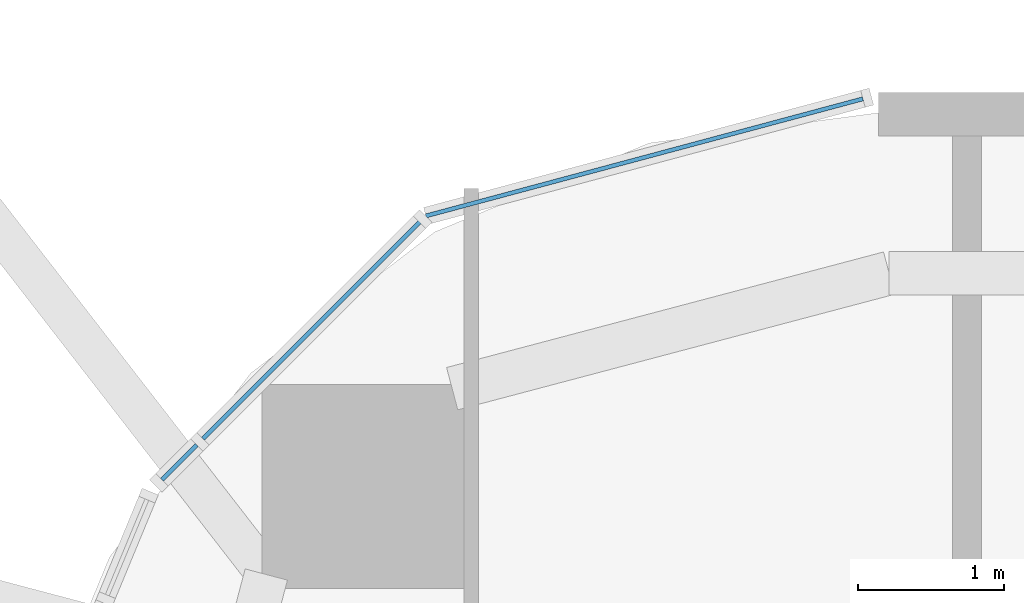
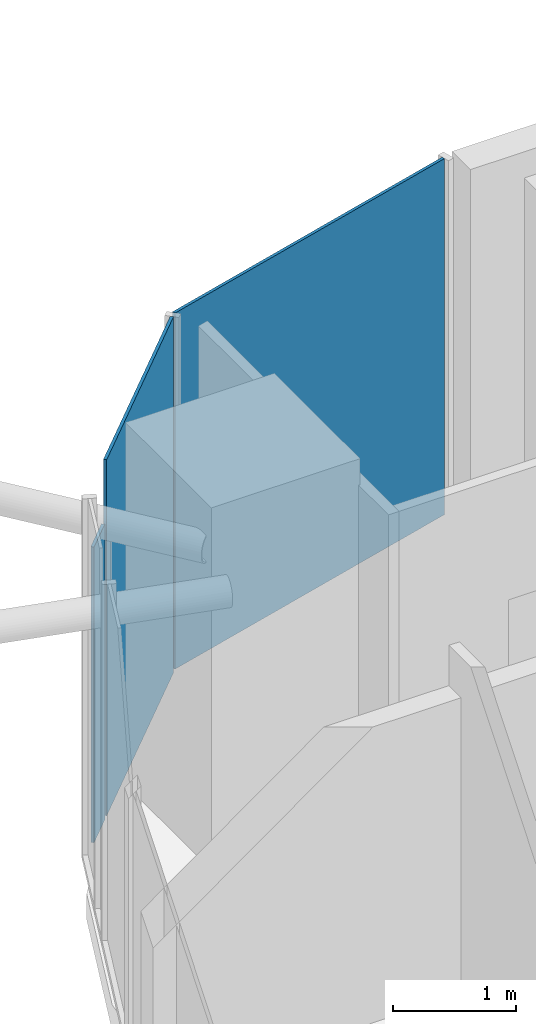
# One storey, part 20 of 31: 3 plates, 3 elements without a shape of their own.
"""IFC4 building model written with IfcOpenShell, lengths in metres."""

import ifcopenshell
import ifcopenshell.guid

model = None  # the IFC model being written
_history = None  # IfcOwnerHistory: only IFC2X3 demands one
_inside = {}  # id of a spatial element -> (the spatial element, [elements in it])
_under = {}  # id of a project, library or spatial element -> (it, [spatial elements below it])
_declared = {}  # id of a project -> (the project, [libraries it declares])
_typed = {}  # id of a type object -> (the type object, [elements of that type])
_made_of = {}  # id of a material, layer set ... -> (it, [elements and type objects made of it])


def new_model(schema):
    """Start an empty IFC model of exactly this schema.

    Asked for "IFC4X3", IfcOpenShell would pick the latest addendum, in which some entities
    have other attributes; the version numbers below select the first issue.
    IFC2X3 requires an IfcOwnerHistory on every rooted entity: one is made here for all.
    """
    global model, _history
    if schema == "IFC4X3":
        model = ifcopenshell.file(schema_version=(4, 3, 0, 0))
    else:
        model = ifcopenshell.file(schema=schema)
    _inside.clear()
    _under.clear()
    _declared.clear()
    _typed.clear()
    _made_of.clear()
    _history = None
    if model.schema == "IFC2X3":
        org = make("IfcOrganization", Name="unknown")
        user = make(
            "IfcPersonAndOrganization",
            ThePerson=make("IfcPerson", FamilyName="unknown"),
            TheOrganization=org,
        )
        app = make(
            "IfcApplication",
            ApplicationDeveloper=org,
            Version="unknown",
            ApplicationFullName="unknown",
            ApplicationIdentifier="unknown",
        )
        _history = make(
            "IfcOwnerHistory",
            OwningUser=user,
            OwningApplication=app,
            ChangeAction="ADDED",
            CreationDate=0,
        )
    return model


def make(cls, **values):
    """One entity of the class cls with the attributes given. An attribute that is None is left unset."""
    return model.create_entity(
        cls, **{name: value for name, value in values.items() if value is not None}
    )


def rooted(cls, **values):
    """An entity with a GlobalId (a new one), such as an element, a storey or a relation."""
    return make(cls, GlobalId=ifcopenshell.guid.new(), OwnerHistory=_history, **values)


def si_unit(unit_type, name, prefix=None):
    """IfcSIUnit, for example si_unit("LENGTHUNIT", "METRE", prefix="MILLI")."""
    return make("IfcSIUnit", UnitType=unit_type, Prefix=prefix, Name=name)


def assignment(units):
    """IfcUnitAssignment: the units of a project."""
    return None if units is None else make("IfcUnitAssignment", Units=units)


def point(xyz):
    """IfcCartesianPoint."""
    return None if xyz is None else make("IfcCartesianPoint", Coordinates=xyz)


def direction(xyz):
    """IfcDirection."""
    return None if xyz is None else make("IfcDirection", DirectionRatios=xyz)


def frame(location, z_axis=None, x_axis=None):
    """IfcAxis2Placement3D, a coordinate frame: its origin and axes. An axis left out is left unset."""
    return make(
        "IfcAxis2Placement3D",
        Location=point(location),
        Axis=direction(z_axis),
        RefDirection=direction(x_axis),
    )


def frame_2d(location, x_axis=None):
    """IfcAxis2Placement2D, a coordinate frame in the plane: its origin and x axis."""
    return make(
        "IfcAxis2Placement2D", Location=point(location), RefDirection=direction(x_axis)
    )


def origin():
    """The frame at (0, 0, 0) with its axes left unset."""
    return frame((0.0, 0.0, 0.0))


def origin_2d():
    """The frame at (0, 0) in the plane with its x axis left unset."""
    return frame_2d((0.0, 0.0))


def place(relative_to, where):
    """IfcLocalPlacement: puts the frame where relative to a parent placement (None: the world)."""
    return make(
        "IfcLocalPlacement", PlacementRelTo=relative_to, RelativePlacement=where
    )


def context(
    kind, dimensions, precision=None, world=None, true_north=None, identifier=None
):
    """IfcGeometricRepresentationContext, for example the 3D "Model" context."""
    return make(
        "IfcGeometricRepresentationContext",
        ContextIdentifier=identifier,
        ContextType=kind,
        CoordinateSpaceDimension=dimensions,
        Precision=precision,
        WorldCoordinateSystem=world,
        TrueNorth=true_north,
    )


def subcontext(parent, identifier, kind, view, scale=None):
    """IfcGeometricRepresentationSubContext, for example "Body" below "Model"."""
    return make(
        "IfcGeometricRepresentationSubContext",
        ContextIdentifier=identifier,
        ContextType=kind,
        ParentContext=parent,
        TargetScale=scale,
        TargetView=view,
    )


def project(units=None, contexts=None):
    """IfcProject with its units and contexts."""
    return rooted(
        "IfcProject",
        Name="project",
        RepresentationContexts=contexts,
        UnitsInContext=assignment(units),
    )


def spatial(cls, under=None, at=None, **own):
    """A site, building, storey or space (cls), placed at a placement, below another one or the project."""
    s = rooted(cls, ObjectPlacement=at, **own)
    if under is not None:
        _under.setdefault(under.id(), (under, []))[1].append(s)
    return s


def profile(cls, at=None, kind="AREA", **sizes):
    """A parametric profile (cls). Its sizes go by their IFC names, for example OverallWidth=200.0."""
    return make(cls, ProfileType=kind, Position=at, **sizes)


def rectangle(**sizes):
    """IfcRectangleProfileDef."""
    return profile("IfcRectangleProfileDef", **sizes)


def extrude(swept, where, along, depth):
    """IfcExtrudedAreaSolid: the profile swept, set in the frame where, extruded along a direction by depth."""
    return make(
        "IfcExtrudedAreaSolid",
        SweptArea=swept,
        Position=where,
        ExtrudedDirection=direction(along),
        Depth=depth,
    )


def shape(context_of_items, identifier, shape_type, items):
    """IfcShapeRepresentation: the items that make up one representation, for example the "Body"."""
    return make(
        "IfcShapeRepresentation",
        ContextOfItems=context_of_items,
        RepresentationIdentifier=identifier,
        RepresentationType=shape_type,
        Items=items,
    )


def material(Name=None, Category=None):
    """IfcMaterial."""
    return make("IfcMaterial", Name=Name, Category=Category)


def layer(
    of_material, thickness, ventilated=None, Name=None, Category=None, Priority=None
):
    """IfcMaterialLayer: one layer of a wall or slab, of a material (None: an air gap)."""
    return make(
        "IfcMaterialLayer",
        Material=of_material,
        LayerThickness=thickness,
        IsVentilated=ventilated,
        Name=Name,
        Category=Category,
        Priority=Priority,
    )


def layer_set(layers, Name=None):
    """IfcMaterialLayerSet."""
    return make("IfcMaterialLayerSet", MaterialLayers=layers, LayerSetName=Name)


def made_of(thing, what):
    """Note that an element or type object is made of a material, layer set ...; save() writes the relation."""
    if what is not None:
        _made_of.setdefault(what.id(), (what, []))[1].append(thing)
    return thing


def type_object(cls, material=None, **own):
    """A type object (cls), such as IfcWallType, which elements share."""
    return made_of(rooted(cls, **own), material)


def element(
    cls,
    number,
    at=None,
    inside=None,
    cuts=None,
    type_object=None,
    material=None,
    context=None,
    identifier="Body",
    shape_type=None,
    held_by="IfcProductDefinitionShape",
    body=None,
    shapes=None,
    **own,
):
    """One element of the class cls, such as IfcWall. Its Tag is "e" and its number.

    at: its placement. inside: the storey or other place that contains it. cuts: it is an
    opening in that element (IfcRelVoidsElement). A single representation is given by context,
    identifier, shape_type and body (its items); several are given by shapes. held_by: the class
    of the entity that holds the representations. save() writes the other relations.
    """
    e = rooted(cls, Tag="e%d" % number, ObjectPlacement=at, **own)
    if body is not None:
        shapes = [shape(context, identifier, shape_type, body)]
    if shapes is not None:
        e.Representation = make(held_by, Representations=shapes)
    if inside is not None:
        _inside.setdefault(inside.id(), (inside, []))[1].append(e)
    if cuts is not None:
        rooted(
            "IfcRelVoidsElement", RelatingBuildingElement=cuts, RelatedOpeningElement=e
        )
    if type_object is not None:
        _typed.setdefault(type_object.id(), (type_object, []))[1].append(e)
    return made_of(e, material)


def aggregate(whole, parts):
    """IfcRelAggregates: a whole, such as a stair, and the parts it consists of."""
    return rooted("IfcRelAggregates", RelatingObject=whole, RelatedObjects=parts)


def save(model, path):
    """Write the relations noted so far, then the file.

    IfcRelAggregates (storeys below a building ...), IfcRelContainedInSpatialStructure (elements
    in a storey), IfcRelDefinesByType, IfcRelAssociatesMaterial and IfcRelDeclares: one each for
    every whole, place, type object, material and project.
    """
    for whole, parts in _under.values():
        aggregate(whole, parts)
    for where, things in _inside.values():
        rooted(
            "IfcRelContainedInSpatialStructure",
            RelatedElements=things,
            RelatingStructure=where,
        )
    for kind, things in _typed.values():
        rooted("IfcRelDefinesByType", RelatedObjects=things, RelatingType=kind)
    for what, things in _made_of.values():
        rooted("IfcRelAssociatesMaterial", RelatedObjects=things, RelatingMaterial=what)
    for by, libraries in _declared.values():
        rooted("IfcRelDeclares", RelatingContext=by, RelatedDefinitions=libraries)
    model.write(path)


model = new_model("IFC4")

# Units and contexts
model_context = context("Model", 3, precision=1e-05, world=origin(), true_north=direction((0.0, 1.0)))
body_context = subcontext(model_context, "Body", "Model", "MODEL_VIEW")
ifc_project = project(units=[si_unit("LENGTHUNIT", "METRE"), si_unit("AREAUNIT", "SQUARE_METRE"), si_unit("VOLUMEUNIT", "CUBIC_METRE"), si_unit("PLANEANGLEUNIT", "RADIAN"), si_unit("MASSUNIT", "GRAM", prefix="KILO")], contexts=[model_context])

# Site, building, storey
site_placement = place(None, origin())
site = spatial("IfcSite", under=ifc_project, at=site_placement, CompositionType="ELEMENT")
building_placement = place(site_placement, origin())
building = spatial("IfcBuilding", under=site, at=building_placement, Name="Marenta Gate Hotel Tower", CompositionType="ELEMENT")
storey_placement = place(building_placement, frame((0.0, 0.0, 191.300048828125)))
storey = spatial("IfcBuildingStorey", under=building, at=storey_placement, Name="L43", CompositionType="ELEMENT", Elevation=191.300048828125)

# Curtain wall, plate
ifc_material_1 = material(Name="Tinted insulated glass in bronze anodised frame", Category="glass")
ifc_layer_1 = layer(ifc_material_1, 0.1201171875)
ifc_layer_set_1 = layer_set([ifc_layer_1], Name="Tinted insulated glass in bronze anodised frame")
curtain_wall_type = type_object("IfcCurtainWallType", Name="Tower unitised curtain wall CW1", PredefinedType="NOTDEFINED", material=ifc_layer_set_1)
curtain_wall_1_placement = place(storey_placement, origin())
curtain_wall_1 = element("IfcCurtainWall", 1, at=curtain_wall_1_placement, inside=storey, type_object=curtain_wall_type, Name="CW1 run G00", PredefinedType="NOTDEFINED")
ifc_material_2 = material(Name="Tinted insulated glass", Category="glass")
ifc_layer_2 = layer(ifc_material_2, 0.028076171875)
ifc_layer_set_2 = layer_set([ifc_layer_2], Name="Tinted insulated glass")
plate_type = type_object("IfcPlateType", Name="Glass panel CW1 28 mm tinted insulated unit", PredefinedType="CURTAIN_PANEL", material=ifc_layer_set_2)
plate_1_placement = place(storey_placement, frame((-20.813720703125, 22.19384765625, 0.059814453125), z_axis=(0.0, 0.0, 1.0), x_axis=(-0.965930559685, -0.258801379183, 0.0)))
plate_1 = element("IfcPlate", 2, at=plate_1_placement, type_object=plate_type, Name="CW1 panel 1.1", PredefinedType="CURTAIN_PANEL", context=body_context, shape_type="SweptSolid", body=[
    extrude(rectangle(XDim=3.104248046875, YDim=0.028076171875, at=origin_2d()), origin(), (0.0, 0.0, 1.0), 3.5400390625),
])
aggregate(curtain_wall_1, [plate_1])

curtain_wall_2_placement = place(storey_placement, origin())
curtain_wall_2 = element("IfcCurtainWall", 3, at=curtain_wall_2_placement, inside=storey, type_object=curtain_wall_type, Name="CW1 run G01", PredefinedType="NOTDEFINED")
plate_2_placement = place(storey_placement, frame((-23.0986328125, 21.00634765625, 0.059814453125), z_axis=(0.0, 0.0, 1.0), x_axis=(-0.707106781187, -0.707106781187, 0.0)))
plate_2 = element("IfcPlate", 4, at=plate_2_placement, type_object=plate_type, Name="CW1 panel 1.1", PredefinedType="CURTAIN_PANEL", context=body_context, shape_type="SweptSolid", body=[
    extrude(rectangle(XDim=2.1025390625, YDim=0.028076171875, at=origin_2d()), origin(), (0.0, 0.0, 1.0), 3.5400390625),
])
aggregate(curtain_wall_2, [plate_2])

curtain_wall_3_placement = place(storey_placement, origin())
curtain_wall_3 = element("IfcCurtainWall", 5, at=curtain_wall_3_placement, inside=storey, type_object=curtain_wall_type, Name="CW1 run G02", PredefinedType="NOTDEFINED")
plate_3_placement = place(storey_placement, frame((-24.003662109375, 20.1015625, 0.06005859375), z_axis=(0.0, 0.0, 1.0), x_axis=(-0.707106781187, -0.707106781187, 0.0)))
plate_3 = element("IfcPlate", 6, at=plate_3_placement, type_object=plate_type, Name="CW1 panel 1.1", PredefinedType="CURTAIN_PANEL", context=body_context, shape_type="SweptSolid", body=[
    extrude(rectangle(XDim=0.336669921875, YDim=0.028076171875, at=origin_2d()), origin(), (0.0, 0.0, 1.0), 2.9404296875),
])
aggregate(curtain_wall_3, [plate_3])

save(model, "model.ifc")
